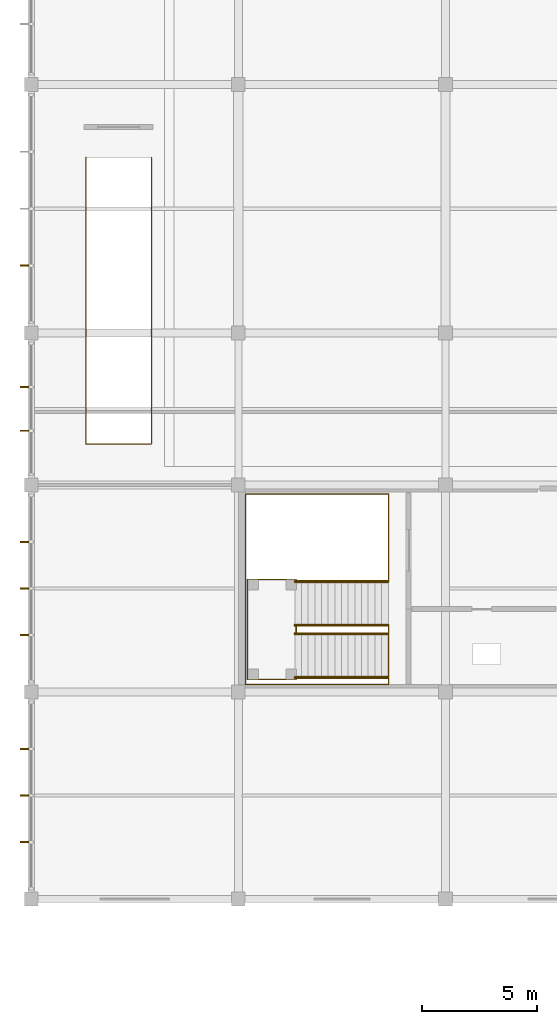
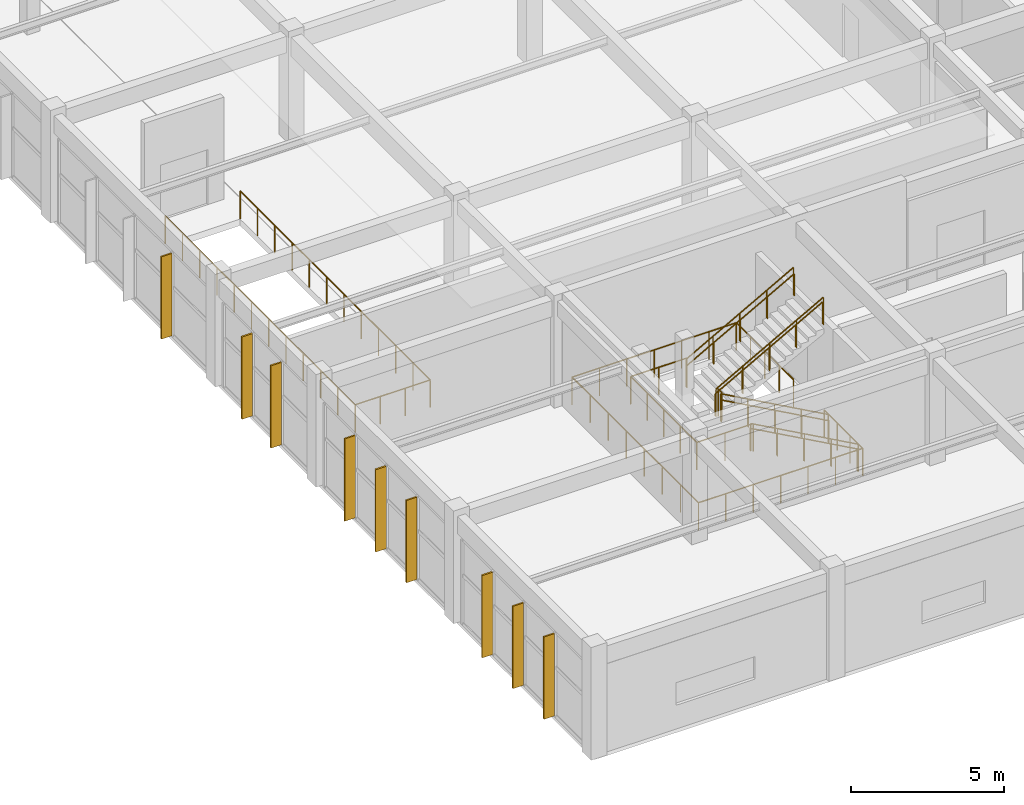
# One storey, part 73 of 89: 12 railings, 9 shading devices.
"""IFC4 building model written with IfcOpenShell, lengths in metres."""

from ifc_helpers import new_model, si_unit, direction, frame, origin, origin_2d, place, context, subcontext, project, spatial, rectangle, circle, extrude, material, type_object, element, save


model = new_model("IFC4")

# Units and contexts
model_context = context("Model", 3, precision=1e-05, world=origin(), true_north=direction((0.0, 1.0)))
body_context = subcontext(model_context, "Body", "Model", "MODEL_VIEW")
ifc_project = project(units=[si_unit("LENGTHUNIT", "METRE"), si_unit("AREAUNIT", "SQUARE_METRE"), si_unit("VOLUMEUNIT", "CUBIC_METRE"), si_unit("PLANEANGLEUNIT", "RADIAN"), si_unit("MASSUNIT", "GRAM", prefix="KILO")], contexts=[model_context])

# Site, building, storey
site_placement = place(None, origin())
site = spatial("IfcSite", under=ifc_project, at=site_placement, CompositionType="ELEMENT")
building_placement = place(site_placement, origin())
building = spatial("IfcBuilding", under=site, at=building_placement, Name="Suirenkawa Promenade Aquatics Centre", CompositionType="ELEMENT")
storey_placement = place(building_placement, frame((0.0, 0.0, 9.60009765625)))
storey = spatial("IfcBuildingStorey", under=building, at=storey_placement, Name="L02", CompositionType="ELEMENT", Elevation=9.60009765625)

# Railings
ifc_material_1 = material(Name="Marine-grade stainless steel Grade 316L", Category="steel")
railing_type_1 = type_object("IfcRailingType", Name="RLT-GUARD-1120", PredefinedType="GUARDRAIL", material=ifc_material_1)
for number, where, name in (
    (1, (15.514892578125, 15.760009765625, 0.0), "Guardrail GRD-01 RL-0031"),
    (2, (15.514892578125, 13.800048828125, 0.0), "Guardrail GRD-01 RL-0033"),
):
    element("IfcRailing", number, at=place(storey_placement, frame(where)), inside=storey, type_object=railing_type_1, Name=name, PredefinedType="GUARDRAIL", context=body_context, shape_type="SweptSolid", body=[
        extrude(circle(Radius=0.02392578125, at=origin_2d()), frame((0.0, 0.0, 1.09619140625), z_axis=(-0.874655505744, 0.0, 0.484745032229), x_axis=(0.0, -1.0, 0.0)), (0.0, 0.0, 1.0), 4.6416015625),
        extrude(circle(Radius=0.02099609375, at=origin_2d()), origin(), (0.0, 0.0, 1.0), 1.072021484375),
        extrude(circle(Radius=0.02099609375, at=origin_2d()), frame((-1.014892578125, 0.0, 0.5625)), (0.0, 0.0, 1.0), 1.072021484375),
        extrude(circle(Radius=0.02099609375, at=origin_2d()), frame((-2.02978515625, 0.0, 1.125)), (0.0, 0.0, 1.0), 1.072021484375),
        extrude(circle(Radius=0.02099609375, at=origin_2d()), frame((-3.044921875, 0.0, 1.6875)), (0.0, 0.0, 1.0), 1.072021484375),
        extrude(circle(Radius=0.02099609375, at=origin_2d()), frame((-4.059814453125, 0.0, 2.25)), (0.0, 0.0, 1.0), 1.072021484375),
    ])
for number, where, name in (
    (3, (11.455078125, 16.070068359375, 2.25), "Guardrail GRD-01 RL-0035"),
    (4, (11.455078125, 18.030029296875, 2.25), "Guardrail GRD-01 RL-0037"),
):
    element("IfcRailing", number, at=place(storey_placement, frame(where)), inside=storey, type_object=railing_type_1, Name=name, PredefinedType="GUARDRAIL", context=body_context, shape_type="SweptSolid", body=[
        extrude(circle(Radius=0.02392578125, at=origin_2d()), frame((0.0, 0.0, 1.09619140625), z_axis=(0.874655505744, 0.0, 0.484745032229), x_axis=(0.0, 1.0, 0.0)), (0.0, 0.0, 1.0), 4.6416015625),
        extrude(circle(Radius=0.02099609375, at=origin_2d()), origin(), (0.0, 0.0, 1.0), 1.072021484375),
        extrude(circle(Radius=0.02099609375, at=origin_2d()), frame((1.014892578125, 0.0, 0.5625)), (0.0, 0.0, 1.0), 1.072021484375),
        extrude(circle(Radius=0.02099609375, at=origin_2d()), frame((2.02978515625, 0.0, 1.125)), (0.0, 0.0, 1.0), 1.072021484375),
        extrude(circle(Radius=0.02099609375, at=origin_2d()), frame((3.044921875, 0.0, 1.6875)), (0.0, 0.0, 1.0), 1.072021484375),
        extrude(circle(Radius=0.02099609375, at=origin_2d()), frame((4.059814453125, 0.0, 2.25)), (0.0, 0.0, 1.0), 1.072021484375),
    ])
railing_1_placement = place(storey_placement, frame((11.52001953125, 13.75, 2.25)))
element("IfcRailing", 5, at=railing_1_placement, inside=storey, type_object=railing_type_1, Name="Guardrail GRD-01 RL-0039", PredefinedType="GUARDRAIL", context=body_context, shape_type="SweptSolid", body=[
    extrude(circle(Radius=0.02392578125, at=origin_2d()), frame((0.0, 0.0, 1.09619140625), z_axis=(-1.0, 0.0, 0.0), x_axis=(0.0, -1.0, 0.0)), (0.0, 0.0, 1.0), 2.130126953125),
    extrude(circle(Radius=0.02392578125, at=origin_2d()), frame((-2.130126953125, 0.0, 1.09619140625), z_axis=(0.0, 1.0, 0.0), x_axis=(-1.0, 0.0, 0.0)), (0.0, 0.0, 1.0), 4.330078125),
    extrude(circle(Radius=0.02392578125, at=origin_2d()), frame((-2.130126953125, 4.330078125, 1.09619140625), z_axis=(1.0, 0.0, 0.0), x_axis=(0.0, 1.0, 0.0)), (0.0, 0.0, 1.0), 2.130126953125),
    extrude(circle(Radius=0.02099609375, at=origin_2d()), origin(), (0.0, 0.0, 1.0), 1.072021484375),
    extrude(circle(Radius=0.02099609375, at=origin_2d()), frame((-1.06494140625, 0.0, 0.0)), (0.0, 0.0, 1.0), 1.072021484375),
    extrude(circle(Radius=0.02099609375, at=origin_2d()), frame((-2.130126953125, 0.0, 0.0)), (0.0, 0.0, 1.0), 1.072021484375),
    extrude(circle(Radius=0.02099609375, at=origin_2d()), frame((-2.130126953125, 1.08251953125, 0.0)), (0.0, 0.0, 1.0), 1.072021484375),
    extrude(circle(Radius=0.02099609375, at=origin_2d()), frame((-2.130126953125, 2.1650390625, 0.0)), (0.0, 0.0, 1.0), 1.072021484375),
    extrude(circle(Radius=0.02099609375, at=origin_2d()), frame((-2.130126953125, 3.24755859375, 0.0)), (0.0, 0.0, 1.0), 1.072021484375),
    extrude(circle(Radius=0.02099609375, at=origin_2d()), frame((-2.130126953125, 4.330078125, 0.0)), (0.0, 0.0, 1.0), 1.072021484375),
    extrude(circle(Radius=0.02099609375, at=origin_2d()), frame((-1.06494140625, 4.330078125, 0.0)), (0.0, 0.0, 1.0), 1.072021484375),
    extrude(circle(Radius=0.02099609375, at=origin_2d()), frame((0.0, 4.330078125, 0.0)), (0.0, 0.0, 1.0), 1.072021484375),
])
railing_2_placement = place(storey_placement, frame((11.52001953125, 15.7900390625, 2.25)))
element("IfcRailing", 6, at=railing_2_placement, inside=storey, type_object=railing_type_1, Name="Guardrail GRD-01 RL-0040", PredefinedType="GUARDRAIL", context=body_context, shape_type="SweptSolid", body=[
    extrude(circle(Radius=0.02392578125, at=origin_2d()), frame((0.0, 0.0, 1.09619140625), z_axis=(0.0, 1.0, 0.0), x_axis=(-1.0, 0.0, 0.0)), (0.0, 0.0, 1.0), 0.25),
    extrude(circle(Radius=0.02099609375, at=origin_2d()), origin(), (0.0, 0.0, 1.0), 1.072021484375),
    extrude(circle(Radius=0.02099609375, at=origin_2d()), frame((0.0, 0.25, 0.0)), (0.0, 0.0, 1.0), 1.072021484375),
])
railing_3_placement = place(storey_placement, frame((2.3798828125, 36.419921875, 0.0)))
element("IfcRailing", 7, at=railing_3_placement, inside=storey, type_object=railing_type_1, Name="Guardrail GRD-01 RL-0400", PredefinedType="GUARDRAIL", context=body_context, shape_type="SweptSolid", body=[
    extrude(circle(Radius=0.02392578125, at=origin_2d()), frame((0.0, 0.0, 1.09619140625), z_axis=(0.0, -1.0, 0.0), x_axis=(1.0, 0.0, 0.0)), (0.0, 0.0, 1.0), 12.43994140625),
    extrude(circle(Radius=0.02392578125, at=origin_2d()), frame((0.0, -12.43994140625, 1.09619140625), z_axis=(1.0, 0.0, 0.0), x_axis=(0.0, 1.0, 0.0)), (0.0, 0.0, 1.0), 2.840087890625),
    extrude(circle(Radius=0.02392578125, at=origin_2d()), frame((2.840087890625, -12.43994140625, 1.09619140625), z_axis=(0.0, 1.0, 0.0), x_axis=(-1.0, 0.0, 0.0)), (0.0, 0.0, 1.0), 12.43994140625),
    extrude(circle(Radius=0.02099609375, at=origin_2d()), origin(), (0.0, 0.0, 1.0), 1.072021484375),
    extrude(circle(Radius=0.02099609375, at=origin_2d()), frame((0.0, -1.130859375, 0.0)), (0.0, 0.0, 1.0), 1.072021484375),
    extrude(circle(Radius=0.02099609375, at=origin_2d()), frame((0.0, -2.26171875, 0.0)), (0.0, 0.0, 1.0), 1.072021484375),
    extrude(circle(Radius=0.02099609375, at=origin_2d()), frame((0.0, -3.392822265625, 0.0)), (0.0, 0.0, 1.0), 1.072021484375),
    extrude(circle(Radius=0.02099609375, at=origin_2d()), frame((0.0, -4.523681640625, 0.0)), (0.0, 0.0, 1.0), 1.072021484375),
    extrude(circle(Radius=0.02099609375, at=origin_2d()), frame((0.0, -5.654541015625, 0.0)), (0.0, 0.0, 1.0), 1.072021484375),
    extrude(circle(Radius=0.02099609375, at=origin_2d()), frame((0.0, -6.785400390625, 0.0)), (0.0, 0.0, 1.0), 1.072021484375),
    extrude(circle(Radius=0.02099609375, at=origin_2d()), frame((0.0, -7.916259765625, 0.0)), (0.0, 0.0, 1.0), 1.072021484375),
    extrude(circle(Radius=0.02099609375, at=origin_2d()), frame((0.0, -9.047119140625, 0.0)), (0.0, 0.0, 1.0), 1.072021484375),
    extrude(circle(Radius=0.02099609375, at=origin_2d()), frame((0.0, -10.17822265625, 0.0)), (0.0, 0.0, 1.0), 1.072021484375),
    extrude(circle(Radius=0.02099609375, at=origin_2d()), frame((0.0, -11.30908203125, 0.0)), (0.0, 0.0, 1.0), 1.072021484375),
    extrude(circle(Radius=0.02099609375, at=origin_2d()), frame((0.0, -12.43994140625, 0.0)), (0.0, 0.0, 1.0), 1.072021484375),
    extrude(circle(Radius=0.02099609375, at=origin_2d()), frame((0.94677734375, -12.43994140625, 0.0)), (0.0, 0.0, 1.0), 1.072021484375),
    extrude(circle(Radius=0.02099609375, at=origin_2d()), frame((1.893310546875, -12.43994140625, 0.0)), (0.0, 0.0, 1.0), 1.072021484375),
    extrude(circle(Radius=0.02099609375, at=origin_2d()), frame((2.840087890625, -12.43994140625, 0.0)), (0.0, 0.0, 1.0), 1.072021484375),
    extrude(circle(Radius=0.02099609375, at=origin_2d()), frame((2.840087890625, -11.30908203125, 0.0)), (0.0, 0.0, 1.0), 1.072021484375),
    extrude(circle(Radius=0.02099609375, at=origin_2d()), frame((2.840087890625, -10.17822265625, 0.0)), (0.0, 0.0, 1.0), 1.072021484375),
    extrude(circle(Radius=0.02099609375, at=origin_2d()), frame((2.840087890625, -9.047119140625, 0.0)), (0.0, 0.0, 1.0), 1.072021484375),
    extrude(circle(Radius=0.02099609375, at=origin_2d()), frame((2.840087890625, -7.916259765625, 0.0)), (0.0, 0.0, 1.0), 1.072021484375),
    extrude(circle(Radius=0.02099609375, at=origin_2d()), frame((2.840087890625, -6.785400390625, 0.0)), (0.0, 0.0, 1.0), 1.072021484375),
    extrude(circle(Radius=0.02099609375, at=origin_2d()), frame((2.840087890625, -5.654541015625, 0.0)), (0.0, 0.0, 1.0), 1.072021484375),
    extrude(circle(Radius=0.02099609375, at=origin_2d()), frame((2.840087890625, -4.523681640625, 0.0)), (0.0, 0.0, 1.0), 1.072021484375),
    extrude(circle(Radius=0.02099609375, at=origin_2d()), frame((2.840087890625, -3.392822265625, 0.0)), (0.0, 0.0, 1.0), 1.072021484375),
    extrude(circle(Radius=0.02099609375, at=origin_2d()), frame((2.840087890625, -2.26171875, 0.0)), (0.0, 0.0, 1.0), 1.072021484375),
    extrude(circle(Radius=0.02099609375, at=origin_2d()), frame((2.840087890625, -1.130859375, 0.0)), (0.0, 0.0, 1.0), 1.072021484375),
    extrude(circle(Radius=0.02099609375, at=origin_2d()), frame((2.840087890625, 0.0, 0.0)), (0.0, 0.0, 1.0), 1.072021484375),
])
railing_4_placement = place(storey_placement, frame((15.530029296875, 18.06005859375, 0.0)))
element("IfcRailing", 8, at=railing_4_placement, inside=storey, type_object=railing_type_1, Name="Guardrail GRD-01 RL-0404", PredefinedType="GUARDRAIL", context=body_context, shape_type="SweptSolid", body=[
    extrude(circle(Radius=0.02392578125, at=origin_2d()), frame((0.0, 0.0, 1.09619140625), z_axis=(0.0, 1.0, 0.0), x_axis=(-1.0, 0.0, 0.0)), (0.0, 0.0, 1.0), 3.739990234375),
    extrude(circle(Radius=0.02392578125, at=origin_2d()), frame((0.0, 3.739990234375, 1.09619140625), z_axis=(-1.0, 0.0, 0.0), x_axis=(0.0, -1.0, 0.0)), (0.0, 0.0, 1.0), 6.2099609375),
    extrude(circle(Radius=0.02392578125, at=origin_2d()), frame((-6.2099609375, 3.739990234375, 1.09619140625), z_axis=(0.0, -1.0, 0.0), x_axis=(1.0, 0.0, 0.0)), (0.0, 0.0, 1.0), 8.280029296875),
    extrude(circle(Radius=0.02392578125, at=origin_2d()), frame((-6.2099609375, -4.5400390625, 1.09619140625), z_axis=(1.0, 0.0, 0.0), x_axis=(0.0, 1.0, 0.0)), (0.0, 0.0, 1.0), 6.2099609375),
    extrude(circle(Radius=0.02392578125, at=origin_2d()), frame((0.0, -4.5400390625, 1.09619140625), z_axis=(0.0, 1.0, 0.0), x_axis=(-1.0, 0.0, 0.0)), (0.0, 0.0, 1.0), 2.52001953125),
    extrude(circle(Radius=0.02099609375, at=origin_2d()), origin(), (0.0, 0.0, 1.0), 1.072021484375),
    extrude(circle(Radius=0.02099609375, at=origin_2d()), frame((0.0, 0.93505859375, 0.0)), (0.0, 0.0, 1.0), 1.072021484375),
    extrude(circle(Radius=0.02099609375, at=origin_2d()), frame((0.0, 1.8701171875, 0.0)), (0.0, 0.0, 1.0), 1.072021484375),
    extrude(circle(Radius=0.02099609375, at=origin_2d()), frame((0.0, 2.804931640625, 0.0)), (0.0, 0.0, 1.0), 1.072021484375),
    extrude(circle(Radius=0.02099609375, at=origin_2d()), frame((0.0, 3.739990234375, 0.0)), (0.0, 0.0, 1.0), 1.072021484375),
    extrude(circle(Radius=0.02099609375, at=origin_2d()), frame((-1.034912109375, 3.739990234375, 0.0)), (0.0, 0.0, 1.0), 1.072021484375),
    extrude(circle(Radius=0.02099609375, at=origin_2d()), frame((-2.070068359375, 3.739990234375, 0.0)), (0.0, 0.0, 1.0), 1.072021484375),
    extrude(circle(Radius=0.02099609375, at=origin_2d()), frame((-3.10498046875, 3.739990234375, 0.0)), (0.0, 0.0, 1.0), 1.072021484375),
    extrude(circle(Radius=0.02099609375, at=origin_2d()), frame((-4.139892578125, 3.739990234375, 0.0)), (0.0, 0.0, 1.0), 1.072021484375),
    extrude(circle(Radius=0.02099609375, at=origin_2d()), frame((-5.175048828125, 3.739990234375, 0.0)), (0.0, 0.0, 1.0), 1.072021484375),
    extrude(circle(Radius=0.02099609375, at=origin_2d()), frame((-6.2099609375, 3.739990234375, 0.0)), (0.0, 0.0, 1.0), 1.072021484375),
    extrude(circle(Radius=0.02099609375, at=origin_2d()), frame((-6.2099609375, 2.55712890625, 0.0)), (0.0, 0.0, 1.0), 1.072021484375),
    extrude(circle(Radius=0.02099609375, at=origin_2d()), frame((-6.2099609375, 1.374267578125, 0.0)), (0.0, 0.0, 1.0), 1.072021484375),
    extrude(circle(Radius=0.02099609375, at=origin_2d()), frame((-6.2099609375, 0.19140625, 0.0)), (0.0, 0.0, 1.0), 1.072021484375),
    extrude(circle(Radius=0.02099609375, at=origin_2d()), frame((-6.2099609375, -0.991455078125, 0.0)), (0.0, 0.0, 1.0), 1.072021484375),
    extrude(circle(Radius=0.02099609375, at=origin_2d()), frame((-6.2099609375, -2.17431640625, 0.0)), (0.0, 0.0, 1.0), 1.072021484375),
    extrude(circle(Radius=0.02099609375, at=origin_2d()), frame((-6.2099609375, -3.357177734375, 0.0)), (0.0, 0.0, 1.0), 1.072021484375),
    extrude(circle(Radius=0.02099609375, at=origin_2d()), frame((-6.2099609375, -4.5400390625, 0.0)), (0.0, 0.0, 1.0), 1.072021484375),
    extrude(circle(Radius=0.02099609375, at=origin_2d()), frame((-5.175048828125, -4.5400390625, 0.0)), (0.0, 0.0, 1.0), 1.072021484375),
    extrude(circle(Radius=0.02099609375, at=origin_2d()), frame((-4.139892578125, -4.5400390625, 0.0)), (0.0, 0.0, 1.0), 1.072021484375),
    extrude(circle(Radius=0.02099609375, at=origin_2d()), frame((-3.10498046875, -4.5400390625, 0.0)), (0.0, 0.0, 1.0), 1.072021484375),
    extrude(circle(Radius=0.02099609375, at=origin_2d()), frame((-2.070068359375, -4.5400390625, 0.0)), (0.0, 0.0, 1.0), 1.072021484375),
    extrude(circle(Radius=0.02099609375, at=origin_2d()), frame((-1.034912109375, -4.5400390625, 0.0)), (0.0, 0.0, 1.0), 1.072021484375),
    extrude(circle(Radius=0.02099609375, at=origin_2d()), frame((0.0, -4.5400390625, 0.0)), (0.0, 0.0, 1.0), 1.072021484375),
    extrude(circle(Radius=0.02099609375, at=origin_2d()), frame((0.0, -3.699951171875, 0.0)), (0.0, 0.0, 1.0), 1.072021484375),
    extrude(circle(Radius=0.02099609375, at=origin_2d()), frame((0.0, -2.860107421875, 0.0)), (0.0, 0.0, 1.0), 1.072021484375),
    extrude(circle(Radius=0.02099609375, at=origin_2d()), frame((0.0, -2.02001953125, 0.0)), (0.0, 0.0, 1.0), 1.072021484375),
])
railing_type_2 = type_object("IfcRailingType", Name="RLT-HANDRAIL-900", PredefinedType="HANDRAIL", material=ifc_material_1)
for number, where, name in (
    (9, (15.514892578125, 15.7099609375, 0.0), "Handrail HRL-01 RL-0032"),
    (10, (15.514892578125, 13.85009765625, 0.0), "Handrail HRL-01 RL-0034"),
):
    element("IfcRailing", number, at=place(storey_placement, frame(where)), inside=storey, type_object=railing_type_2, Name=name, PredefinedType="HANDRAIL", context=body_context, shape_type="SweptSolid", body=[
        extrude(circle(Radius=0.02392578125, at=origin_2d()), frame((0.0, 0.0, 0.8759765625), z_axis=(-0.874655505744, 0.0, 0.484745032229), x_axis=(0.0, -1.0, 0.0)), (0.0, 0.0, 1.0), 4.6416015625),
        extrude(circle(Radius=0.02099609375, at=origin_2d()), origin(), (0.0, 0.0, 1.0), 0.851806640625),
        extrude(circle(Radius=0.02099609375, at=origin_2d()), frame((-1.014892578125, 0.0, 0.5625)), (0.0, 0.0, 1.0), 0.851806640625),
        extrude(circle(Radius=0.02099609375, at=origin_2d()), frame((-2.02978515625, 0.0, 1.125)), (0.0, 0.0, 1.0), 0.851806640625),
        extrude(circle(Radius=0.02099609375, at=origin_2d()), frame((-3.044921875, 0.0, 1.6875)), (0.0, 0.0, 1.0), 0.851806640625),
        extrude(circle(Radius=0.02099609375, at=origin_2d()), frame((-4.059814453125, 0.0, 2.25)), (0.0, 0.0, 1.0), 0.851806640625),
    ])
for number, where, name in (
    (11, (11.455078125, 16.1201171875, 2.25), "Handrail HRL-01 RL-0036"),
    (12, (11.455078125, 17.97998046875, 2.25), "Handrail HRL-01 RL-0038"),
):
    element("IfcRailing", number, at=place(storey_placement, frame(where)), inside=storey, type_object=railing_type_2, Name=name, PredefinedType="HANDRAIL", context=body_context, shape_type="SweptSolid", body=[
        extrude(circle(Radius=0.02392578125, at=origin_2d()), frame((0.0, 0.0, 0.8759765625), z_axis=(0.874655505744, 0.0, 0.484745032229), x_axis=(0.0, 1.0, 0.0)), (0.0, 0.0, 1.0), 4.6416015625),
        extrude(circle(Radius=0.02099609375, at=origin_2d()), origin(), (0.0, 0.0, 1.0), 0.851806640625),
        extrude(circle(Radius=0.02099609375, at=origin_2d()), frame((1.014892578125, 0.0, 0.5625)), (0.0, 0.0, 1.0), 0.851806640625),
        extrude(circle(Radius=0.02099609375, at=origin_2d()), frame((2.02978515625, 0.0, 1.125)), (0.0, 0.0, 1.0), 0.851806640625),
        extrude(circle(Radius=0.02099609375, at=origin_2d()), frame((3.044921875, 0.0, 1.6875)), (0.0, 0.0, 1.0), 0.851806640625),
        extrude(circle(Radius=0.02099609375, at=origin_2d()), frame((4.059814453125, 0.0, 2.25)), (0.0, 0.0, 1.0), 0.851806640625),
    ])

# Shading devices
ifc_material_2 = material(Name="Anodised aluminium 6063-T6", Category="aluminium")
shading_device_type = type_object("IfcShadingDeviceType", Name="SDT-KOUSHI-400", PredefinedType="USERDEFINED", material=ifc_material_2)
for number, where, z_axis, x_axis, name in (
    (13, (-0.287109375, 6.674560546875, 0.039794921875), (0.0, 0.0, 1.0), (-1.0, 0.0, 0.0), "Vertical solar shading fin FN-01 FIN-0143"),
    (14, (-0.287109375, 8.699951171875, 0.039794921875), (0.0, 0.0, 1.0), (-1.0, 0.0, 0.0), "Vertical solar shading fin FN-01 FIN-0144"),
    (15, (-0.287109375, 10.7255859375, 0.039794921875), (0.0, 0.0, 1.0), (-1.0, 0.0, 0.0), "Vertical solar shading fin FN-01 FIN-0145"),
    (16, (-0.287109375, 15.674560546875, 0.039794921875), (0.0, 0.0, 1.0), (-1.0, 0.0, 0.0), "Vertical solar shading fin FN-01 FIN-0146"),
    (17, (-0.287109375, 17.699951171875, 0.039794921875), (0.0, 0.0, 1.0), (-1.0, 0.0, 0.0), "Vertical solar shading fin FN-01 FIN-0147"),
    (18, (-0.287109375, 19.7255859375, 0.039794921875), (0.0, 0.0, 1.0), (-1.0, 0.0, 0.0), "Vertical solar shading fin FN-01 FIN-0148"),
    (19, (-0.287109375, 24.549560546875, 0.039794921875), (0.0, 0.0, 1.0), (-1.0, 0.0, 0.0), "Vertical solar shading fin FN-01 FIN-0152"),
    (20, (-0.287109375, 26.450439453125, 0.039794921875), (0.0, 0.0, 1.0), (-1.0, 0.0, 0.0), "Vertical solar shading fin FN-01 FIN-0153"),
    (21, (-0.287109375, 31.724609375, 0.039794921875), (0.0, 0.0, 1.0), (-1.0, 0.0, 0.0), "Vertical solar shading fin FN-01 FIN-0154"),
):
    element("IfcShadingDevice", number, at=place(storey_placement, frame(where, z_axis=z_axis, x_axis=x_axis)), inside=storey, type_object=shading_device_type, Name=name, ObjectType="FIN", PredefinedType="USERDEFINED", context=body_context, shape_type="SweptSolid", body=[
        extrude(rectangle(XDim=0.39990234375, YDim=0.06005859375, at=origin_2d()), origin(), (0.0, 0.0, 1.0), 3.2900390625),
    ])

save(model, "model.ifc")
